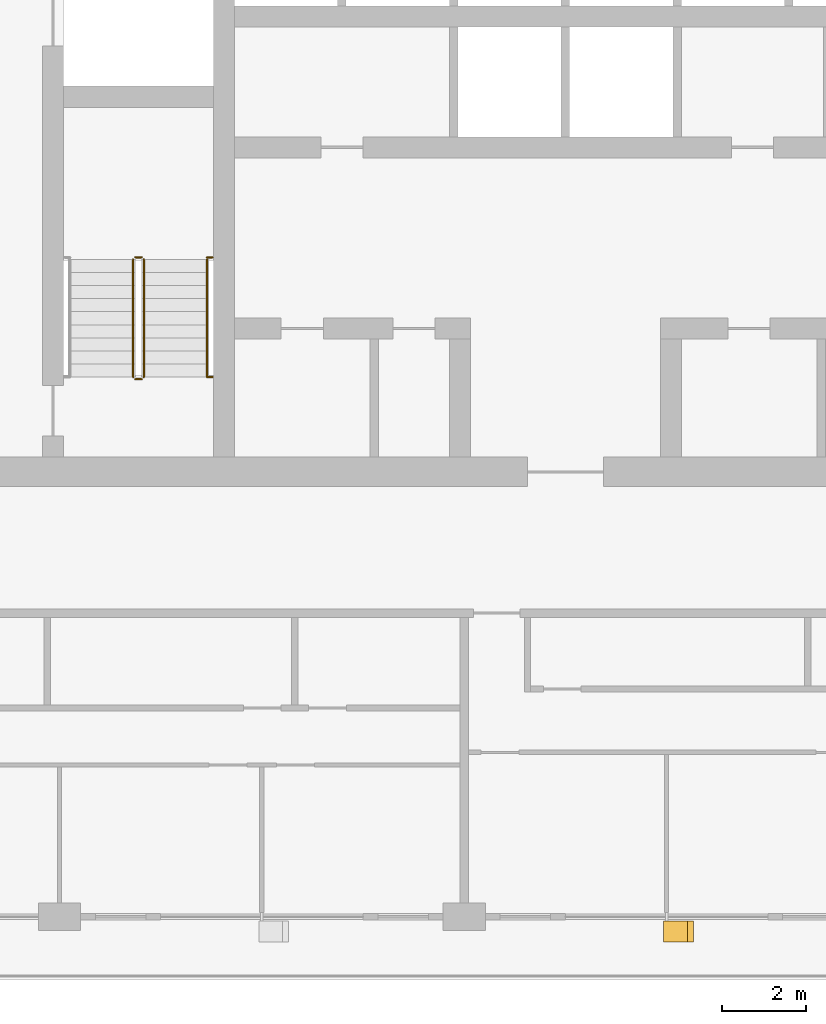
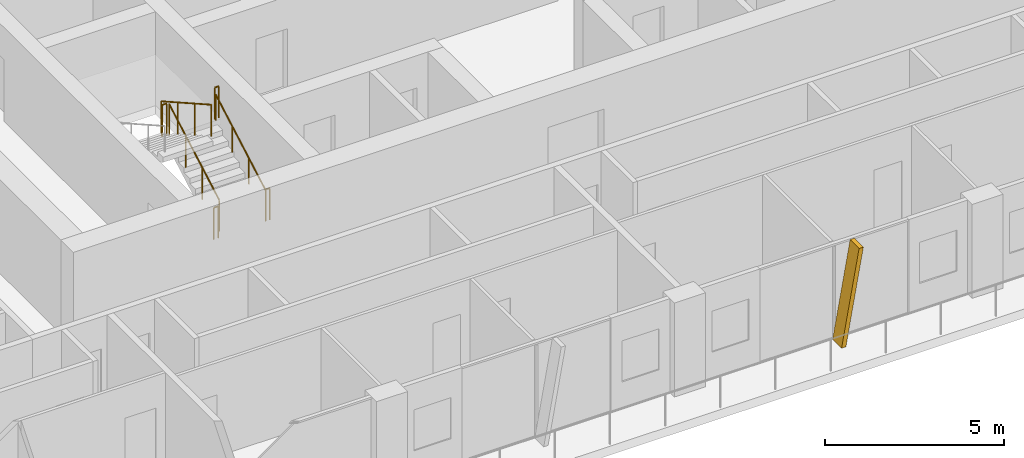
# One storey, part 18 of 23: 7 railings, 1 shading device.
"""IFC4 building model written with IfcOpenShell, lengths in metres."""

from ifc_helpers import new_model, si_unit, direction, frame, origin, origin_2d, place, context, subcontext, project, spatial, polyline, circle, outline, extrude, material, type_object, element, save


model = new_model("IFC4")

# Units and contexts
model_context = context("Model", 3, precision=1e-05, world=origin(), true_north=direction((0.0, 1.0)))
body_context = subcontext(model_context, "Body", "Model", "MODEL_VIEW")
ifc_project = project(units=[si_unit("LENGTHUNIT", "METRE"), si_unit("AREAUNIT", "SQUARE_METRE"), si_unit("VOLUMEUNIT", "CUBIC_METRE"), si_unit("PLANEANGLEUNIT", "RADIAN"), si_unit("MASSUNIT", "GRAM", prefix="KILO")], contexts=[model_context])

# Site, building, storey
site_placement = place(None, origin())
site = spatial("IfcSite", under=ifc_project, at=site_placement, CompositionType="ELEMENT")
building_placement = place(site_placement, origin())
building = spatial("IfcBuilding", under=site, at=building_placement, Name="Madar Terraces", CompositionType="ELEMENT")
storey_placement = place(building_placement, frame((0.0, 0.0, 226.300048828125)))
storey = spatial("IfcBuildingStorey", under=building, at=storey_placement, Name="L59", CompositionType="ELEMENT", Elevation=226.300048828125)

# Shading device
ifc_material_1 = material(Name="Aluminium, black anodised", Category="aluminium")
shading_device_type = type_object("IfcShadingDeviceType", Name="Facade fin blade 140 x 500", PredefinedType="USERDEFINED", material=ifc_material_1)
shading_device_placement = place(storey_placement, frame((33.530029296875, 4.449951171875, 0.0), z_axis=(0.0, 0.0, 1.0), x_axis=(1.0, 0.0, 0.0)))
element("IfcShadingDevice", 1, at=shading_device_placement, inside=storey, type_object=shading_device_type, Name="FIN L59 S3", ObjectType="FIN", PredefinedType="USERDEFINED", context=body_context, shape_type="SweptSolid", body=[
    extrude(outline(polyline([(0.0, 0.0), (0.139892578125, 0.0), (0.704345703125, 3.199951171875), (0.564208984375, 3.199951171875), (0.0, 0.0)])), frame((0.0, 0.25, 0.0), z_axis=(0.0, -1.0, 0.0), x_axis=(1.0, 0.0, 0.0)), (0.0, 0.0, 1.0), 0.5),
])

# Railings
ifc_material_2 = material(Name="Stainless steel railing", Category="steel")
railing_type_1 = type_object("IfcRailingType", Name="Stair guard 1100", PredefinedType="GUARDRAIL", material=ifc_material_2)
railing_1_placement = place(storey_placement, frame((21.199951171875, 17.60009765625, 0.175048828125)))
element("IfcRailing", 2, at=railing_1_placement, inside=storey, type_object=railing_type_1, Name="L59 ST1 stair guard 1", PredefinedType="GUARDRAIL", context=body_context, shape_type="SweptSolid", body=[
    extrude(circle(Radius=0.02392578125, at=origin_2d()), frame((0.0, 0.0, 1.076171875), z_axis=(0.0, 0.870815363784, 0.491610213684), x_axis=(-1.0, 0.0, 0.0)), (0.0, 0.0, 1.0), 3.20361328125),
    extrude(circle(Radius=0.02099609375, at=origin_2d()), origin(), (0.0, 0.0, 1.0), 1.052001953125),
    extrude(circle(Radius=0.02099609375, at=origin_2d()), frame((0.0, 0.929931640625, 0.52490234375)), (0.0, 0.0, 1.0), 1.052001953125),
    extrude(circle(Radius=0.02099609375, at=origin_2d()), frame((0.0, 1.85986328125, 1.050048828125)), (0.0, 0.0, 1.0), 1.052001953125),
    extrude(circle(Radius=0.02099609375, at=origin_2d()), frame((0.0, 2.789794921875, 1.574951171875)), (0.0, 0.0, 1.0), 1.052001953125),
])
railing_2_placement = place(storey_placement, frame((21.14990234375, 20.43994140625, 1.75)))
element("IfcRailing", 3, at=railing_2_placement, inside=storey, type_object=railing_type_1, Name="L59 ST1 stair guard 2", PredefinedType="GUARDRAIL", context=body_context, shape_type="SweptSolid", body=[
    extrude(circle(Radius=0.02392578125, at=origin_2d()), frame((0.0, 0.0, 1.076171875), z_axis=(-1.0, 0.0, 0.0), x_axis=(0.0, -1.0, 0.0)), (0.0, 0.0, 1.0), 0.14990234375),
    extrude(circle(Radius=0.02099609375, at=origin_2d()), origin(), (0.0, 0.0, 1.0), 1.052001953125),
    extrude(circle(Radius=0.02099609375, at=origin_2d()), frame((-0.14990234375, 0.0, 0.0)), (0.0, 0.0, 1.0), 1.052001953125),
])
railing_3_placement = place(storey_placement, frame((20.949951171875, 20.389892578125, 1.925048828125)))
element("IfcRailing", 4, at=railing_3_placement, inside=storey, type_object=railing_type_1, Name="L59 ST1 stair guard 3", PredefinedType="GUARDRAIL", context=body_context, shape_type="SweptSolid", body=[
    extrude(circle(Radius=0.02392578125, at=origin_2d()), frame((0.0, 0.0, 1.076171875), z_axis=(0.0, -0.870815363784, 0.491610213684), x_axis=(1.0, 0.0, 0.0)), (0.0, 0.0, 1.0), 3.20361328125),
    extrude(circle(Radius=0.02099609375, at=origin_2d()), origin(), (0.0, 0.0, 1.0), 1.052001953125),
    extrude(circle(Radius=0.02099609375, at=origin_2d()), frame((0.0, -0.929931640625, 0.52490234375)), (0.0, 0.0, 1.0), 1.052001953125),
    extrude(circle(Radius=0.02099609375, at=origin_2d()), frame((0.0, -1.85986328125, 1.050048828125)), (0.0, 0.0, 1.0), 1.052001953125),
    extrude(circle(Radius=0.02099609375, at=origin_2d()), frame((0.0, -2.789794921875, 1.574951171875)), (0.0, 0.0, 1.0), 1.052001953125),
])
railing_4_placement = place(storey_placement, frame((21.14990234375, 17.550048828125, 0.0)))
element("IfcRailing", 5, at=railing_4_placement, inside=storey, type_object=railing_type_1, Name="L59 ST1 stair guard 4", PredefinedType="GUARDRAIL", context=body_context, shape_type="SweptSolid", body=[
    extrude(circle(Radius=0.02392578125, at=origin_2d()), frame((0.0, 0.0, 1.076171875), z_axis=(-1.0, 0.0, 0.0), x_axis=(0.0, -1.0, 0.0)), (0.0, 0.0, 1.0), 0.14990234375),
    extrude(circle(Radius=0.02099609375, at=origin_2d()), origin(), (0.0, 0.0, 1.0), 1.052001953125),
    extrude(circle(Radius=0.02099609375, at=origin_2d()), frame((-0.14990234375, 0.0, 0.0)), (0.0, 0.0, 1.0), 1.052001953125),
])
for number, where, name in (
    (6, (22.699951171875, 20.43994140625, 1.75), "L59 stair guard seat 2"),
    (7, (22.699951171875, 17.60009765625, 0.0), "L59 stair guard floor 2"),
):
    element("IfcRailing", number, at=place(storey_placement, frame(where)), inside=storey, type_object=railing_type_1, Name=name, PredefinedType="GUARDRAIL", context=body_context, shape_type="SweptSolid", body=[
        extrude(circle(Radius=0.02392578125, at=origin_2d()), frame((0.0, 0.0, 1.076171875), z_axis=(1.0, 0.0, 0.0), x_axis=(0.0, 1.0, 0.0)), (0.0, 0.0, 1.0), 0.130126953125),
        extrude(circle(Radius=0.02099609375, at=origin_2d()), origin(), (0.0, 0.0, 1.0), 1.052001953125),
        extrude(circle(Radius=0.02099609375, at=origin_2d()), frame((0.130126953125, 0.0, 0.0)), (0.0, 0.0, 1.0), 1.052001953125),
    ])
ifc_material_3 = material(Name="Stainless steel railing", Category="steel")
railing_type_2 = type_object("IfcRailingType", Name="Stair handrail 900", PredefinedType="HANDRAIL", material=ifc_material_3)
railing_5_placement = place(storey_placement, frame((22.699951171875, 17.60009765625, 0.175048828125)))
element("IfcRailing", 8, at=railing_5_placement, inside=storey, type_object=railing_type_2, Name="L59 ST1 stair handrail 1", PredefinedType="HANDRAIL", context=body_context, shape_type="SweptSolid", body=[
    extrude(circle(Radius=0.02392578125, at=origin_2d()), frame((0.0, 0.0, 0.8759765625), z_axis=(0.0, 0.870815363784, 0.491610213684), x_axis=(-1.0, 0.0, 0.0)), (0.0, 0.0, 1.0), 3.20361328125),
    extrude(circle(Radius=0.02099609375, at=origin_2d()), origin(), (0.0, 0.0, 1.0), 0.851806640625),
    extrude(circle(Radius=0.02099609375, at=origin_2d()), frame((0.0, 0.929931640625, 0.52490234375)), (0.0, 0.0, 1.0), 0.851806640625),
    extrude(circle(Radius=0.02099609375, at=origin_2d()), frame((0.0, 1.85986328125, 1.050048828125)), (0.0, 0.0, 1.0), 0.851806640625),
    extrude(circle(Radius=0.02099609375, at=origin_2d()), frame((0.0, 2.789794921875, 1.574951171875)), (0.0, 0.0, 1.0), 0.851806640625),
])

save(model, "model.ifc")
